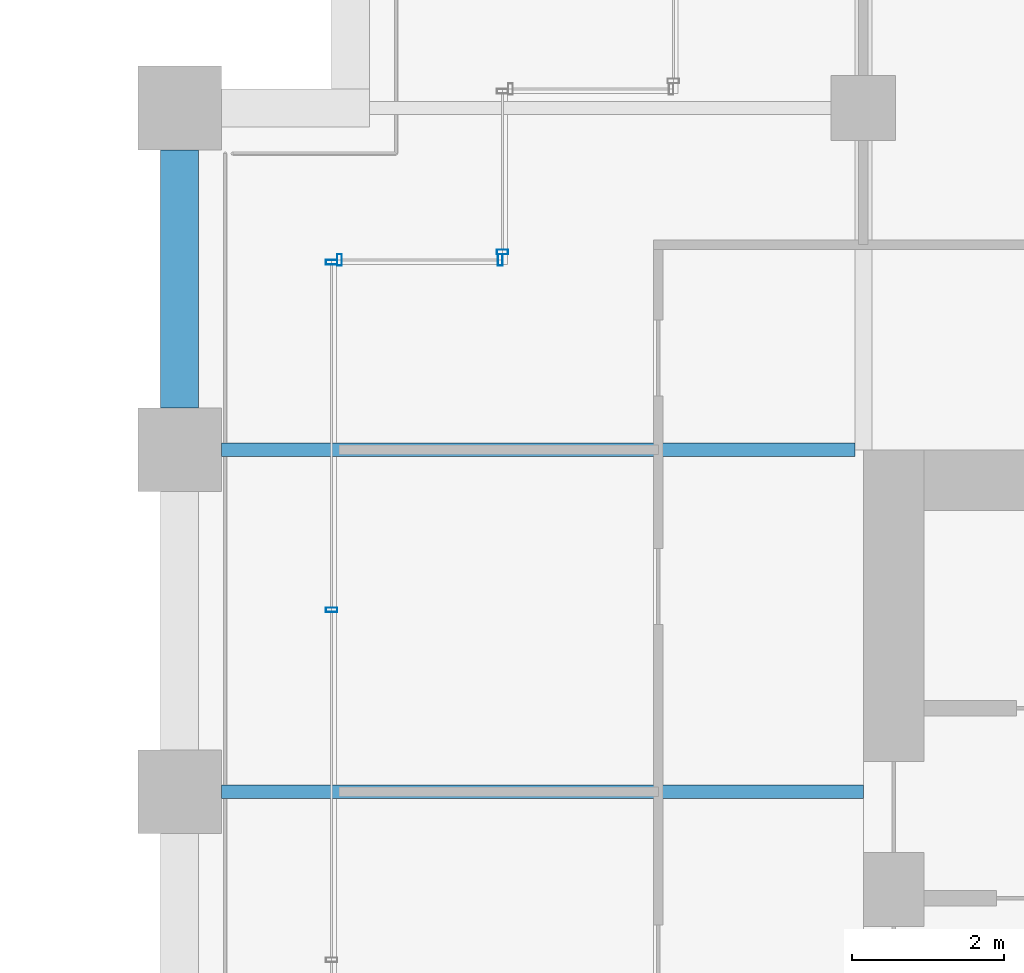
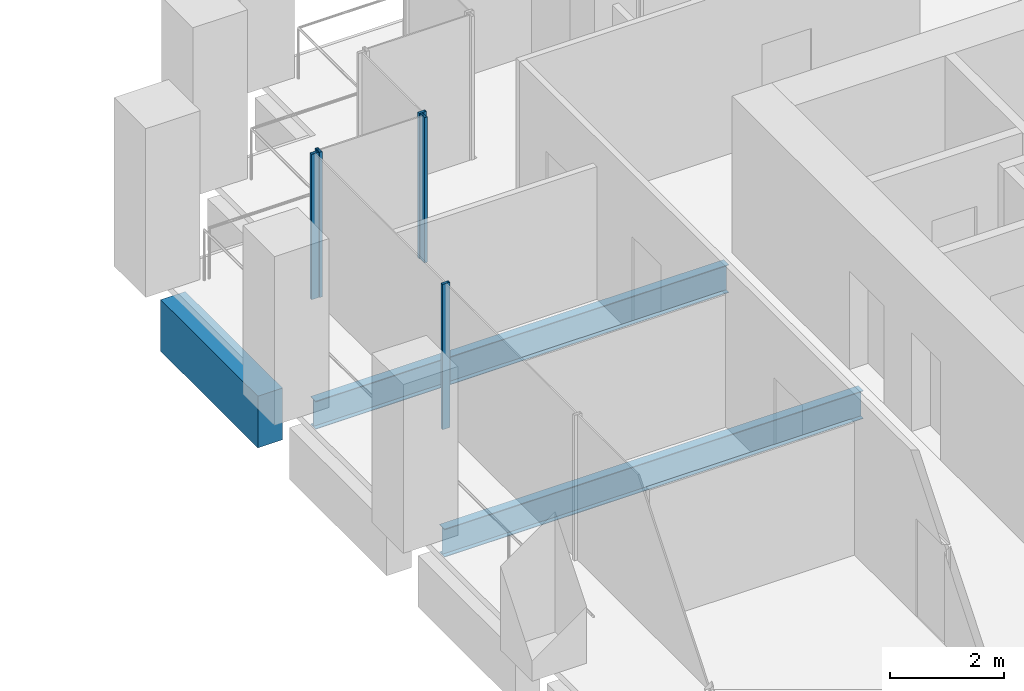
# One storey, part 40 of 56: 5 members, 3 beams, 3 elements without a shape of their own.
"""IFC4 building model written with IfcOpenShell, lengths in metres."""

import ifcopenshell
import ifcopenshell.guid

model = None  # the IFC model being written
_history = None  # IfcOwnerHistory: only IFC2X3 demands one
_inside = {}  # id of a spatial element -> (the spatial element, [elements in it])
_under = {}  # id of a project, library or spatial element -> (it, [spatial elements below it])
_declared = {}  # id of a project -> (the project, [libraries it declares])
_typed = {}  # id of a type object -> (the type object, [elements of that type])
_made_of = {}  # id of a material, layer set ... -> (it, [elements and type objects made of it])


def new_model(schema):
    """Start an empty IFC model of exactly this schema.

    Asked for "IFC4X3", IfcOpenShell would pick the latest addendum, in which some entities
    have other attributes; the version numbers below select the first issue.
    IFC2X3 requires an IfcOwnerHistory on every rooted entity: one is made here for all.
    """
    global model, _history
    if schema == "IFC4X3":
        model = ifcopenshell.file(schema_version=(4, 3, 0, 0))
    else:
        model = ifcopenshell.file(schema=schema)
    _inside.clear()
    _under.clear()
    _declared.clear()
    _typed.clear()
    _made_of.clear()
    _history = None
    if model.schema == "IFC2X3":
        org = make("IfcOrganization", Name="unknown")
        user = make(
            "IfcPersonAndOrganization",
            ThePerson=make("IfcPerson", FamilyName="unknown"),
            TheOrganization=org,
        )
        app = make(
            "IfcApplication",
            ApplicationDeveloper=org,
            Version="unknown",
            ApplicationFullName="unknown",
            ApplicationIdentifier="unknown",
        )
        _history = make(
            "IfcOwnerHistory",
            OwningUser=user,
            OwningApplication=app,
            ChangeAction="ADDED",
            CreationDate=0,
        )
    return model


def make(cls, **values):
    """One entity of the class cls with the attributes given. An attribute that is None is left unset."""
    return model.create_entity(
        cls, **{name: value for name, value in values.items() if value is not None}
    )


def rooted(cls, **values):
    """An entity with a GlobalId (a new one), such as an element, a storey or a relation."""
    return make(cls, GlobalId=ifcopenshell.guid.new(), OwnerHistory=_history, **values)


def si_unit(unit_type, name, prefix=None):
    """IfcSIUnit, for example si_unit("LENGTHUNIT", "METRE", prefix="MILLI")."""
    return make("IfcSIUnit", UnitType=unit_type, Prefix=prefix, Name=name)


def assignment(units):
    """IfcUnitAssignment: the units of a project."""
    return None if units is None else make("IfcUnitAssignment", Units=units)


def point(xyz):
    """IfcCartesianPoint."""
    return None if xyz is None else make("IfcCartesianPoint", Coordinates=xyz)


def direction(xyz):
    """IfcDirection."""
    return None if xyz is None else make("IfcDirection", DirectionRatios=xyz)


def frame(location, z_axis=None, x_axis=None):
    """IfcAxis2Placement3D, a coordinate frame: its origin and axes. An axis left out is left unset."""
    return make(
        "IfcAxis2Placement3D",
        Location=point(location),
        Axis=direction(z_axis),
        RefDirection=direction(x_axis),
    )


def frame_2d(location, x_axis=None):
    """IfcAxis2Placement2D, a coordinate frame in the plane: its origin and x axis."""
    return make(
        "IfcAxis2Placement2D", Location=point(location), RefDirection=direction(x_axis)
    )


def origin():
    """The frame at (0, 0, 0) with its axes left unset."""
    return frame((0.0, 0.0, 0.0))


def origin_2d():
    """The frame at (0, 0) in the plane with its x axis left unset."""
    return frame_2d((0.0, 0.0))


def place(relative_to, where):
    """IfcLocalPlacement: puts the frame where relative to a parent placement (None: the world)."""
    return make(
        "IfcLocalPlacement", PlacementRelTo=relative_to, RelativePlacement=where
    )


def context(
    kind, dimensions, precision=None, world=None, true_north=None, identifier=None
):
    """IfcGeometricRepresentationContext, for example the 3D "Model" context."""
    return make(
        "IfcGeometricRepresentationContext",
        ContextIdentifier=identifier,
        ContextType=kind,
        CoordinateSpaceDimension=dimensions,
        Precision=precision,
        WorldCoordinateSystem=world,
        TrueNorth=true_north,
    )


def subcontext(parent, identifier, kind, view, scale=None):
    """IfcGeometricRepresentationSubContext, for example "Body" below "Model"."""
    return make(
        "IfcGeometricRepresentationSubContext",
        ContextIdentifier=identifier,
        ContextType=kind,
        ParentContext=parent,
        TargetScale=scale,
        TargetView=view,
    )


def project(units=None, contexts=None):
    """IfcProject with its units and contexts."""
    return rooted(
        "IfcProject",
        Name="project",
        RepresentationContexts=contexts,
        UnitsInContext=assignment(units),
    )


def spatial(cls, under=None, at=None, **own):
    """A site, building, storey or space (cls), placed at a placement, below another one or the project."""
    s = rooted(cls, ObjectPlacement=at, **own)
    if under is not None:
        _under.setdefault(under.id(), (under, []))[1].append(s)
    return s


def profile(cls, at=None, kind="AREA", **sizes):
    """A parametric profile (cls). Its sizes go by their IFC names, for example OverallWidth=200.0."""
    return make(cls, ProfileType=kind, Position=at, **sizes)


def rectangle(**sizes):
    """IfcRectangleProfileDef."""
    return profile("IfcRectangleProfileDef", **sizes)


def hollow_rectangle(**sizes):
    """IfcRectangleHollowProfileDef."""
    return profile("IfcRectangleHollowProfileDef", **sizes)


def i_section(**sizes):
    """IfcIShapeProfileDef."""
    return profile("IfcIShapeProfileDef", **sizes)


def extrude(swept, where, along, depth):
    """IfcExtrudedAreaSolid: the profile swept, set in the frame where, extruded along a direction by depth."""
    return make(
        "IfcExtrudedAreaSolid",
        SweptArea=swept,
        Position=where,
        ExtrudedDirection=direction(along),
        Depth=depth,
    )


def shape(context_of_items, identifier, shape_type, items):
    """IfcShapeRepresentation: the items that make up one representation, for example the "Body"."""
    return make(
        "IfcShapeRepresentation",
        ContextOfItems=context_of_items,
        RepresentationIdentifier=identifier,
        RepresentationType=shape_type,
        Items=items,
    )


def material(Name=None, Category=None):
    """IfcMaterial."""
    return make("IfcMaterial", Name=Name, Category=Category)


def material_profile(
    of_material, cross_section, Name=None, Category=None, Priority=None
):
    """IfcMaterialProfile: a cross section and its material."""
    return make(
        "IfcMaterialProfile",
        Name=Name,
        Material=of_material,
        Profile=cross_section,
        Priority=Priority,
        Category=Category,
    )


def profile_set(profiles, Name=None, composite=None):
    """IfcMaterialProfileSet."""
    return make(
        "IfcMaterialProfileSet",
        Name=Name,
        MaterialProfiles=profiles,
        CompositeProfile=composite,
    )


def made_of(thing, what):
    """Note that an element or type object is made of a material, layer set ...; save() writes the relation."""
    if what is not None:
        _made_of.setdefault(what.id(), (what, []))[1].append(thing)
    return thing


def type_object(cls, material=None, **own):
    """A type object (cls), such as IfcWallType, which elements share."""
    return made_of(rooted(cls, **own), material)


def element(
    cls,
    number,
    at=None,
    inside=None,
    cuts=None,
    type_object=None,
    material=None,
    context=None,
    identifier="Body",
    shape_type=None,
    held_by="IfcProductDefinitionShape",
    body=None,
    shapes=None,
    **own,
):
    """One element of the class cls, such as IfcWall. Its Tag is "e" and its number.

    at: its placement. inside: the storey or other place that contains it. cuts: it is an
    opening in that element (IfcRelVoidsElement). A single representation is given by context,
    identifier, shape_type and body (its items); several are given by shapes. held_by: the class
    of the entity that holds the representations. save() writes the other relations.
    """
    e = rooted(cls, Tag="e%d" % number, ObjectPlacement=at, **own)
    if body is not None:
        shapes = [shape(context, identifier, shape_type, body)]
    if shapes is not None:
        e.Representation = make(held_by, Representations=shapes)
    if inside is not None:
        _inside.setdefault(inside.id(), (inside, []))[1].append(e)
    if cuts is not None:
        rooted(
            "IfcRelVoidsElement", RelatingBuildingElement=cuts, RelatedOpeningElement=e
        )
    if type_object is not None:
        _typed.setdefault(type_object.id(), (type_object, []))[1].append(e)
    return made_of(e, material)


def aggregate(whole, parts):
    """IfcRelAggregates: a whole, such as a stair, and the parts it consists of."""
    return rooted("IfcRelAggregates", RelatingObject=whole, RelatedObjects=parts)


def save(model, path):
    """Write the relations noted so far, then the file.

    IfcRelAggregates (storeys below a building ...), IfcRelContainedInSpatialStructure (elements
    in a storey), IfcRelDefinesByType, IfcRelAssociatesMaterial and IfcRelDeclares: one each for
    every whole, place, type object, material and project.
    """
    for whole, parts in _under.values():
        aggregate(whole, parts)
    for where, things in _inside.values():
        rooted(
            "IfcRelContainedInSpatialStructure",
            RelatedElements=things,
            RelatingStructure=where,
        )
    for kind, things in _typed.values():
        rooted("IfcRelDefinesByType", RelatedObjects=things, RelatingType=kind)
    for what, things in _made_of.values():
        rooted("IfcRelAssociatesMaterial", RelatedObjects=things, RelatingMaterial=what)
    for by, libraries in _declared.values():
        rooted("IfcRelDeclares", RelatingContext=by, RelatedDefinitions=libraries)
    model.write(path)


model = new_model("IFC4")

# Units and contexts
model_context = context("Model", 3, precision=1e-05, world=origin(), true_north=direction((0.0, 1.0)))
body_context = subcontext(model_context, "Body", "Model", "MODEL_VIEW")
ifc_project = project(units=[si_unit("LENGTHUNIT", "METRE"), si_unit("AREAUNIT", "SQUARE_METRE"), si_unit("VOLUMEUNIT", "CUBIC_METRE"), si_unit("PLANEANGLEUNIT", "RADIAN"), si_unit("MASSUNIT", "GRAM", prefix="KILO")], contexts=[model_context])

# Site, building, storey
site_placement = place(None, origin())
site = spatial("IfcSite", under=ifc_project, at=site_placement, CompositionType="ELEMENT")
building_placement = place(site_placement, origin())
building = spatial("IfcBuilding", under=site, at=building_placement, Name="Altepetl Exchange Towers", CompositionType="ELEMENT")
storey_placement = place(building_placement, frame((0.0, 0.0, 54.60009765625)))
storey = spatial("IfcBuildingStorey", under=building, at=storey_placement, Name="L12", CompositionType="ELEMENT", Elevation=54.60009765625)

# Beams
ifc_material_1 = material(Name="Steel S355", Category="steel")
ifc_material_profile_1 = material_profile(ifc_material_1, i_section(OverallWidth=0.177978515625, OverallDepth=0.59912109375, WebThickness=0.010009765625, FlangeThickness=0.0126953125, at=origin_2d()), Name="W24X55")
ifc_profile_set_1 = profile_set([ifc_material_profile_1], Name="Steel S355")
beam_type_1 = type_object("IfcBeamType", Name="Floor beam W24X55", PredefinedType="BEAM", material=ifc_profile_set_1)
beam_1_placement = place(storey_placement, frame((95.050048828125, 45.0, -0.44970703125), z_axis=(1.0, 0.0, 0.0), x_axis=(0.0, 1.0, 0.0)))
element("IfcBeam", 1, at=beam_1_placement, inside=storey, type_object=beam_type_1, Name="bm:B:L12:013", PredefinedType="BEAM", context=body_context, shape_type="SweptSolid", body=[
    extrude(i_section(OverallWidth=0.177978515625, OverallDepth=0.59912109375, WebThickness=0.010009765625, FlangeThickness=0.0126953125, at=origin_2d()), origin(), (0.0, 0.0, 1.0), 8.449951171875),
])
beam_2_placement = place(storey_placement, frame((95.050048828125, 49.5, -0.44970703125), z_axis=(1.0, 0.0, 0.0), x_axis=(0.0, 1.0, 0.0)))
element("IfcBeam", 2, at=beam_2_placement, inside=storey, type_object=beam_type_1, Name="bm:B:L12:014", PredefinedType="BEAM", context=body_context, shape_type="SweptSolid", body=[
    extrude(i_section(OverallWidth=0.177978515625, OverallDepth=0.59912109375, WebThickness=0.010009765625, FlangeThickness=0.0126953125, at=origin_2d()), origin(), (0.0, 0.0, 1.0), 8.3359375),
])

# Curtain wall, members
ifc_material_2 = material(Name="Aluminium 6063-T6 glazing", Category="aluminium")
curtain_wall_type = type_object("IfcCurtainWallType", Name="Loggia glazing system", PredefinedType="NOTDEFINED", material=ifc_material_2)
curtain_wall_1_placement = place(storey_placement, origin())
curtain_wall_1 = element("IfcCurtainWall", 3, at=curtain_wall_1_placement, inside=storey, type_object=curtain_wall_type, Name="CW1 run", PredefinedType="NOTDEFINED")
ifc_material_3 = material(Name="Aluminium 6063-T6", Category="aluminium")
ifc_material_profile_2 = material_profile(ifc_material_3, hollow_rectangle(XDim=0.06005859375, YDim=0.14990234375, WallThickness=0.0029296875, at=origin_2d()), Name="Mullion 60x150 aluminium")
ifc_profile_set_2 = profile_set([ifc_material_profile_2], Name="Aluminium 6063-T6")
member_type = type_object("IfcMemberType", Name="Mullion 60x150 aluminium", PredefinedType="MULLION", material=ifc_profile_set_2)
member_1_placement = place(storey_placement, frame((98.719970703125, 52.0, 0.0), z_axis=(0.0, 0.0, 1.0), x_axis=(-1.0, 0.0, 0.0)))
member_1 = element("IfcMember", 4, at=member_1_placement, type_object=member_type, Name="MU1 mullion", PredefinedType="MULLION", context=body_context, shape_type="SweptSolid", body=[
    extrude(hollow_rectangle(XDim=0.06005859375, YDim=0.14990234375, WallThickness=0.0029296875, at=origin_2d()), origin(), (0.0, 0.0, 1.0), 3.099853515625),
])
member_2_placement = place(storey_placement, frame((96.60498046875, 52.0, 0.0), z_axis=(0.0, 0.0, 1.0), x_axis=(-1.0, 0.0, 0.0)))
member_2 = element("IfcMember", 5, at=member_2_placement, type_object=member_type, Name="MU1 mullion", PredefinedType="MULLION", context=body_context, shape_type="SweptSolid", body=[
    extrude(hollow_rectangle(XDim=0.06005859375, YDim=0.14990234375, WallThickness=0.0029296875, at=origin_2d()), origin(), (0.0, 0.0, 1.0), 3.099853515625),
])
aggregate(curtain_wall_1, [member_1, member_2])

curtain_wall_2_placement = place(storey_placement, origin())
curtain_wall_2 = element("IfcCurtainWall", 6, at=curtain_wall_2_placement, inside=storey, type_object=curtain_wall_type, Name="CW1 run", PredefinedType="NOTDEFINED")
member_3_placement = place(storey_placement, frame((96.5, 51.969970703125, 0.0), z_axis=(0.0, 0.0, 1.0), x_axis=(0.0, -1.0, 0.0)))
member_3 = element("IfcMember", 7, at=member_3_placement, type_object=member_type, Name="MU1 mullion", PredefinedType="MULLION", context=body_context, shape_type="SweptSolid", body=[
    extrude(hollow_rectangle(XDim=0.06005859375, YDim=0.14990234375, WallThickness=0.0029296875, at=origin_2d()), origin(), (0.0, 0.0, 1.0), 3.099853515625),
])
member_4_placement = place(storey_placement, frame((96.5, 47.393798828125, 0.0), z_axis=(0.0, 0.0, 1.0), x_axis=(0.0, -1.0, 0.0)))
member_4 = element("IfcMember", 8, at=member_4_placement, type_object=member_type, Name="MU1 mullion", PredefinedType="MULLION", context=body_context, shape_type="SweptSolid", body=[
    extrude(hollow_rectangle(XDim=0.06005859375, YDim=0.14990234375, WallThickness=0.0029296875, at=origin_2d()), origin(), (0.0, 0.0, 1.0), 3.099853515625),
])
aggregate(curtain_wall_2, [member_3, member_4])

# Curtain wall, member
curtain_wall_3_placement = place(storey_placement, origin())
curtain_wall_3 = element("IfcCurtainWall", 9, at=curtain_wall_3_placement, inside=storey, type_object=curtain_wall_type, Name="CW1 run", PredefinedType="NOTDEFINED")
member_5_placement = place(storey_placement, frame((98.75, 52.10498046875, 0.0), z_axis=(0.0, 0.0, 1.0), x_axis=(0.0, -1.0, 0.0)))
member_5 = element("IfcMember", 10, at=member_5_placement, type_object=member_type, Name="MU1 mullion", PredefinedType="MULLION", context=body_context, shape_type="SweptSolid", body=[
    extrude(hollow_rectangle(XDim=0.06005859375, YDim=0.14990234375, WallThickness=0.0029296875, at=origin_2d()), origin(), (0.0, 0.0, 1.0), 3.099853515625),
])
aggregate(curtain_wall_3, [member_5])

# Beam
ifc_material_4 = material(Name="Concrete C50/60 precast with cantera rosa facing", Category="concrete")
ifc_material_profile_3 = material_profile(ifc_material_4, rectangle(XDim=0.5, YDim=1.10009765625, at=origin_2d()), Name="500 x 1100")
ifc_profile_set_3 = profile_set([ifc_material_profile_3], Name="Concrete C50/60 precast with cantera rosa facing")
beam_type_2 = type_object("IfcBeamType", Name="Spandrel beam 500x1100 cantera rosa", PredefinedType="SPANDREL", material=ifc_profile_set_3)
beam_3_placement = place(storey_placement, frame((94.5, 53.449951171875, -0.7001953125), z_axis=(0.0, -1.0, 0.0), x_axis=(1.0, 0.0, 0.0)))
element("IfcBeam", 11, at=beam_3_placement, inside=storey, type_object=beam_type_2, Name="sp:B:L12:027", PredefinedType="SPANDREL", context=body_context, shape_type="SweptSolid", body=[
    extrude(rectangle(XDim=0.5, YDim=1.10009765625, at=origin_2d()), origin(), (0.0, 0.0, 1.0), 3.39990234375),
])

save(model, "model.ifc")
